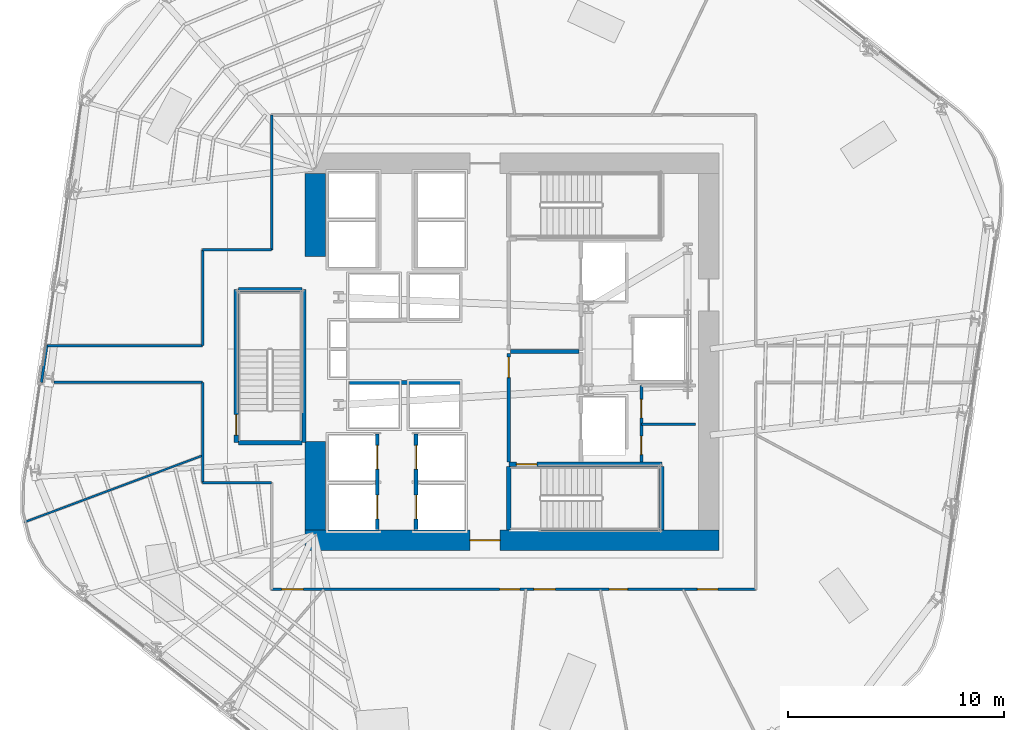
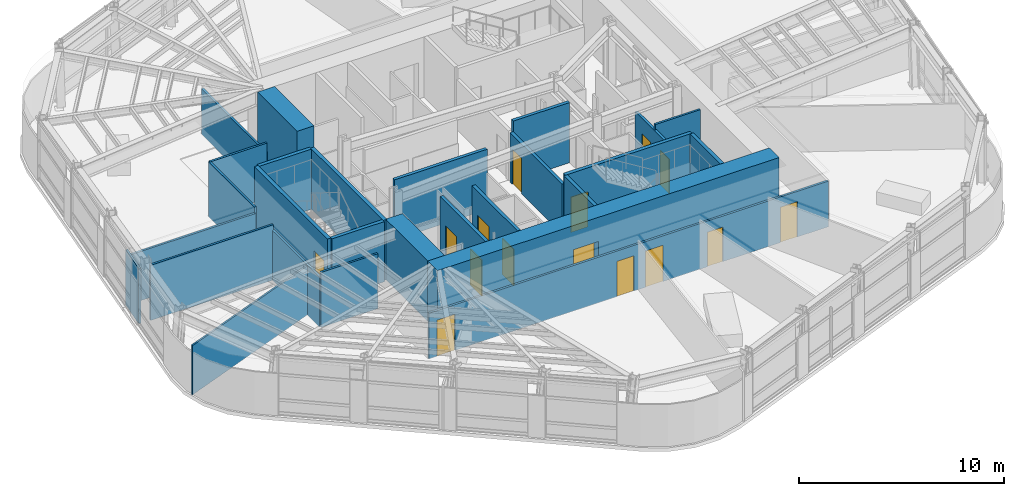
# One storey, part 8 of 17: 27 walls, 15 doors, 15 openings.
"""IFC4 building model written with IfcOpenShell, lengths in metres."""

from ifc_helpers import new_model, si_unit, direction, frame, frame_2d, origin, place, context, subcontext, project, spatial, rectangle, extrude, material, layer, layer_set, type_object, element, fill, save


model = new_model("IFC4")

# Units and contexts
model_context = context("Model", 3, precision=1e-05, world=origin(), true_north=direction((0.0, 1.0)))
body_context = subcontext(model_context, "Body", "Model", "MODEL_VIEW")
ifc_project = project(units=[si_unit("LENGTHUNIT", "METRE"), si_unit("AREAUNIT", "SQUARE_METRE"), si_unit("VOLUMEUNIT", "CUBIC_METRE"), si_unit("PLANEANGLEUNIT", "RADIAN"), si_unit("MASSUNIT", "GRAM", prefix="KILO")], contexts=[model_context])

# Site, building, storey
site_placement = place(None, origin())
site = spatial("IfcSite", under=ifc_project, at=site_placement, CompositionType="ELEMENT")
building_placement = place(site_placement, origin())
building = spatial("IfcBuilding", under=site, at=building_placement, Name="Valkerne Bourse Tower", CompositionType="ELEMENT")
storey_placement = place(building_placement, frame((0.0, 0.0, 116.199951171875)))
storey = spatial("IfcBuildingStorey", under=building, at=storey_placement, Name="L29", CompositionType="ELEMENT", Elevation=116.199951171875)

# Wall, opening, door
ifc_material_1 = material(Name="Concrete C70/85", Category="concrete")
ifc_layer_1 = layer(ifc_material_1, 0.949951171875)
ifc_layer_set_1 = layer_set([ifc_layer_1], Name="Concrete C70/85")
wall_type_1 = type_object("IfcWallType", Name="W-CORE-950", PredefinedType="SHEAR", material=ifc_layer_set_1)
wall_1_placement = place(storey_placement, frame((37.199951171875, 18.125, 0.0), z_axis=(0.0, 0.0, 1.0), x_axis=(1.0, 0.0, 0.0)))
wall_1 = element("IfcWall", 1, at=wall_1_placement, inside=storey, type_object=wall_type_1, Name="L29 Core Shear Wall SOUTH", PredefinedType="SHEAR", context=body_context, shape_type="SweptSolid", body=[
    extrude(rectangle(XDim=19.199951171875, YDim=0.949951171875, at=frame_2d((9.60009765625, 0.0))), origin(), (0.0, 0.0, 1.0), 3.580078125),
])
opening_1_placement = place(wall_1_placement, frame((7.64990234375, 0.0, 0.0)))
opening_1 = element("IfcOpeningElement", 2, at=opening_1_placement, cuts=wall_1, Name="Opening D-PL-1400", PredefinedType="OPENING", context=body_context, shape_type="SweptSolid", body=[
    extrude(rectangle(XDim=1.39990234375, YDim=2.14990234375, at=frame_2d((0.699951171875, 1.074951171875))), frame((0.0, 0.48486328125, 0.0), z_axis=(0.0, -1.0, 0.0), x_axis=(1.0, 0.0, 0.0)), (0.0, 0.0, 1.0), 0.969970703125),
])
ifc_material_2 = material(Name="Galvanised Painted Steel", Category="steel")
door_type_1 = type_object("IfcDoorType", Name="DR-PLT-1400", OperationType="DOUBLE_DOOR_SINGLE_SWING", PredefinedType="DOOR", material=ifc_material_2)
door_1_placement = place(opening_1_placement, origin())
door_1 = element("IfcDoor", 3, at=door_1_placement, inside=storey, type_object=door_type_1, Name="L29 South Passenger Lift Hall Fire Door", OperationType="DOUBLE_DOOR_SINGLE_SWING", OverallHeight=2.14990234375, OverallWidth=1.39990234375, PredefinedType="DOOR", context=body_context, shape_type="SweptSolid", body=[
    extrude(rectangle(XDim=1.39990234375, YDim=2.14990234375, at=frame_2d((0.699951171875, 1.074951171875))), frame((0.0, 0.02490234375, 0.0), z_axis=(0.0, -1.0, 0.0), x_axis=(1.0, 0.0, 0.0)), (0.0, 0.0, 1.0), 0.050048828125),
])
fill(opening_1, door_1)

# Walls
wall_2_placement = place(storey_placement, frame((37.675048828125, 18.60009765625, 0.0), z_axis=(0.0, 0.0, 1.0), x_axis=(0.0, 1.0, 0.0)))
element("IfcWall", 4, at=wall_2_placement, inside=storey, type_object=wall_type_1, Name="L29 Core Shear Wall WEST-S", PredefinedType="SHEAR", context=body_context, shape_type="SweptSolid", body=[
    extrude(rectangle(XDim=4.099853515625, YDim=0.949951171875, at=frame_2d((2.0498046875, 0.0))), origin(), (0.0, 0.0, 1.0), 3.580078125),
])
wall_3_placement = place(storey_placement, frame((37.675048828125, 31.300048828125, 0.0), z_axis=(0.0, 0.0, 1.0), x_axis=(0.0, 1.0, 0.0)))
element("IfcWall", 5, at=wall_3_placement, inside=storey, type_object=wall_type_1, Name="L29 Core Shear Wall WEST-N", PredefinedType="SHEAR", context=body_context, shape_type="SweptSolid", body=[
    extrude(rectangle(XDim=3.849853515625, YDim=0.949951171875, at=frame_2d((1.9248046875, 0.0))), origin(), (0.0, 0.0, 1.0), 3.580078125),
])
ifc_material_3 = material(Name="Gypsum Board Steel-Stud Partition", Category="steel")
ifc_layer_2 = layer(ifc_material_3, 0.117919921875)
ifc_layer_set_2 = layer_set([ifc_layer_2], Name="Gypsum Board Steel-Stud Partition")
wall_type_2 = type_object("IfcWallType", Name="W-CORR-140", PredefinedType="PARTITIONING", material=ifc_layer_set_2)
wall_4_placement = place(storey_placement, frame((52.800048828125, 23.510009765625, 0.0), z_axis=(0.0, 0.0, 1.0), x_axis=(1.0, 0.0, 0.0)))
element("IfcWall", 6, at=wall_4_placement, inside=storey, type_object=wall_type_2, Name="L29 Core SE Dual Divider", PredefinedType="PARTITIONING", context=body_context, shape_type="SweptSolid", body=[
    extrude(rectangle(XDim=2.52001953125, YDim=0.117919921875, at=frame_2d((1.260009765625, 0.0))), origin(), (0.0, 0.0, 1.0), 3.280029296875),
])

# Wall, openings, doors
wall_5_placement = place(storey_placement, frame((58.10009765625, 15.85009765625, 0.0), z_axis=(0.0, 0.0, 1.0), x_axis=(-1.0, 0.0, 0.0)))
wall_5 = element("IfcWall", 7, at=wall_5_placement, inside=storey, type_object=wall_type_2, Name="L29 Corridor Enclosure Wall", PredefinedType="PARTITIONING", context=body_context, shape_type="SweptSolid", body=[
    extrude(rectangle(XDim=22.4501953125, YDim=0.117919921875, at=frame_2d((11.22509765625, 0.0))), origin(), (0.0, 0.0, 1.0), 2.711669921875),
])
opening_2_placement = place(wall_5_placement, frame((5.93505859375, 0.0, 0.0)))
opening_2 = element("IfcOpeningElement", 8, at=opening_2_placement, cuts=wall_5, Name="Opening D-WC-900", PredefinedType="OPENING", context=body_context, shape_type="SweptSolid", body=[
    extrude(rectangle(XDim=0.860107421875, YDim=2.050048828125, at=frame_2d((0.43017578125, 1.02490234375))), frame((0.0, 0.06884765625, 0.0), z_axis=(0.0, -1.0, 0.0), x_axis=(1.0, 0.0, 0.0)), (0.0, 0.0, 1.0), 0.137939453125),
])
opening_3_placement = place(wall_5_placement, frame((9.284912109375, 0.0, 0.0)))
opening_3 = element("IfcOpeningElement", 9, at=opening_3_placement, cuts=wall_5, Name="Opening D-MG-1000", PredefinedType="OPENING", context=body_context, shape_type="SweptSolid", body=[
    extrude(rectangle(XDim=1.0, YDim=2.14990234375, at=frame_2d((0.5, 1.074951171875))), frame((0.0, 0.06884765625, 0.0), z_axis=(0.0, -1.0, 0.0), x_axis=(1.0, 0.0, 0.0)), (0.0, 0.0, 1.0), 0.137939453125),
])
opening_4_placement = place(wall_5_placement, frame((20.985107421875, 0.0, 0.0)))
opening_4 = element("IfcOpeningElement", 10, at=opening_4_placement, cuts=wall_5, Name="Opening D-MG-1000", PredefinedType="OPENING", context=body_context, shape_type="SweptSolid", body=[
    extrude(rectangle(XDim=1.0, YDim=2.14990234375, at=frame_2d((0.5, 1.074951171875))), frame((0.0, 0.06884765625, 0.0), z_axis=(0.0, -1.0, 0.0), x_axis=(1.0, 0.0, 0.0)), (0.0, 0.0, 1.0), 0.137939453125),
])
opening_5_placement = place(wall_5_placement, frame((1.75, 0.0, 0.0)))
opening_5 = element("IfcOpeningElement", 11, at=opening_5_placement, cuts=wall_5, Name="Opening D-OF-950", PredefinedType="OPENING", context=body_context, shape_type="SweptSolid", body=[
    extrude(rectangle(XDim=0.949951171875, YDim=2.10009765625, at=frame_2d((0.47509765625, 1.050048828125))), frame((0.0, 0.06884765625, 0.0), z_axis=(0.0, -1.0, 0.0), x_axis=(1.0, 0.0, 0.0)), (0.0, 0.0, 1.0), 0.137939453125),
])
opening_6_placement = place(wall_5_placement, frame((10.929931640625, 0.0, 0.0)))
opening_6 = element("IfcOpeningElement", 12, at=opening_6_placement, cuts=wall_5, Name="Opening D-OF-950", PredefinedType="OPENING", context=body_context, shape_type="SweptSolid", body=[
    extrude(rectangle(XDim=0.949951171875, YDim=2.10009765625, at=frame_2d((0.47509765625, 1.050048828125))), frame((0.0, 0.06884765625, 0.0), z_axis=(0.0, -1.0, 0.0), x_axis=(1.0, 0.0, 0.0)), (0.0, 0.0, 1.0), 0.137939453125),
])
ifc_material_4 = material(Name="Laminated Tempered Safety Glass", Category="glass")
door_type_2 = type_object("IfcDoorType", Name="DR-MTG-1000", OperationType="NOTDEFINED", PredefinedType="DOOR", material=ifc_material_4)
door_2_placement = place(opening_3_placement, origin())
door_2 = element("IfcDoor", 13, at=door_2_placement, inside=storey, type_object=door_type_2, Name="L29 L29 Client Strategy Conference Room 3 Door", OperationType="SINGLE_SWING_RIGHT", OverallHeight=2.14990234375, OverallWidth=1.0, PredefinedType="DOOR", context=body_context, shape_type="SweptSolid", body=[
    extrude(rectangle(XDim=1.0, YDim=2.14990234375, at=frame_2d((0.5, 1.074951171875))), frame((0.0, 0.02490234375, 0.0), z_axis=(0.0, -1.0, 0.0), x_axis=(1.0, 0.0, 0.0)), (0.0, 0.0, 1.0), 0.050048828125),
])
fill(opening_3, door_2)
door_3_placement = place(opening_4_placement, origin())
door_3 = element("IfcDoor", 14, at=door_3_placement, inside=storey, type_object=door_type_2, Name="L29 L29 Client Strategy Conference Room 4 Door", OperationType="SINGLE_SWING_RIGHT", OverallHeight=2.14990234375, OverallWidth=1.0, PredefinedType="DOOR", context=body_context, shape_type="SweptSolid", body=[
    extrude(rectangle(XDim=1.0, YDim=2.14990234375, at=frame_2d((0.5, 1.074951171875))), frame((0.0, 0.02490234375, 0.0), z_axis=(0.0, -1.0, 0.0), x_axis=(1.0, 0.0, 0.0)), (0.0, 0.0, 1.0), 0.050048828125),
])
fill(opening_4, door_3)
ifc_material_5 = material(Name="Architectural White Oak Timber", Category="wood")
door_type_3 = type_object("IfcDoorType", Name="DR-OFF-950", OperationType="NOTDEFINED", PredefinedType="DOOR", material=ifc_material_5)
door_4_placement = place(opening_5_placement, origin())
door_4 = element("IfcDoor", 15, at=door_4_placement, inside=storey, type_object=door_type_3, Name="L29 L29 Executive Economics Study Room 5 Door", OperationType="SINGLE_SWING_RIGHT", OverallHeight=2.10009765625, OverallWidth=0.949951171875, PredefinedType="DOOR", context=body_context, shape_type="SweptSolid", body=[
    extrude(rectangle(XDim=0.949951171875, YDim=2.10009765625, at=frame_2d((0.47509765625, 1.050048828125))), frame((0.0, 0.02490234375, 0.0), z_axis=(0.0, -1.0, 0.0), x_axis=(1.0, 0.0, 0.0)), (0.0, 0.0, 1.0), 0.050048828125),
])
fill(opening_5, door_4)
door_5_placement = place(opening_6_placement, origin())
door_5 = element("IfcDoor", 16, at=door_5_placement, inside=storey, type_object=door_type_3, Name="L29 L29 Exchange Security Control Room 7 Door", OperationType="SINGLE_SWING_RIGHT", OverallHeight=2.10009765625, OverallWidth=0.949951171875, PredefinedType="DOOR", context=body_context, shape_type="SweptSolid", body=[
    extrude(rectangle(XDim=0.949951171875, YDim=2.10009765625, at=frame_2d((0.47509765625, 1.050048828125))), frame((0.0, 0.02490234375, 0.0), z_axis=(0.0, -1.0, 0.0), x_axis=(1.0, 0.0, 0.0)), (0.0, 0.0, 1.0), 0.050048828125),
])
fill(opening_6, door_5)
door_type_4 = type_object("IfcDoorType", Name="DR-WC-900", OperationType="NOTDEFINED", PredefinedType="DOOR", material=ifc_material_5)
door_6_placement = place(opening_2_placement, origin())
door_6 = element("IfcDoor", 17, at=door_6_placement, inside=storey, type_object=door_type_4, Name="L29 L29 Men Bathroom WC 1 Door", OperationType="SINGLE_SWING_LEFT", OverallHeight=2.050048828125, OverallWidth=0.860107421875, PredefinedType="DOOR", context=body_context, shape_type="SweptSolid", body=[
    extrude(rectangle(XDim=0.860107421875, YDim=2.050048828125, at=frame_2d((0.43017578125, 1.02490234375))), frame((0.0, 0.02490234375, 0.0), z_axis=(0.0, -1.0, 0.0), x_axis=(1.0, 0.0, 0.0)), (0.0, 0.0, 1.0), 0.050048828125),
])
fill(opening_2, door_6)

# Walls
wall_6_placement = place(storey_placement, frame((35.64990234375, 20.800048828125, 0.0), z_axis=(0.0, 0.0, 1.0), x_axis=(-1.0, 0.0, 0.0)))
element("IfcWall", 18, at=wall_6_placement, inside=storey, type_object=wall_type_2, Name="L29 Corridor Enclosure Wall", PredefinedType="PARTITIONING", context=body_context, shape_type="SweptSolid", body=[
    extrude(rectangle(XDim=3.199951171875, YDim=0.117919921875, at=frame_2d((1.60009765625, 0.0))), origin(), (0.0, 0.0, 1.0), 3.260009765625),
])
wall_7_placement = place(storey_placement, frame((32.449951171875, 20.800048828125, 0.0), z_axis=(0.0, 0.0, 1.0), x_axis=(0.0, 1.0, 0.0)))
element("IfcWall", 19, at=wall_7_placement, inside=storey, type_object=wall_type_2, Name="L29 Corridor Enclosure Wall", PredefinedType="PARTITIONING", context=body_context, shape_type="SweptSolid", body=[
    extrude(rectangle(XDim=4.64990234375, YDim=0.117919921875, at=frame_2d((2.324951171875, 0.0))), origin(), (0.0, 0.0, 1.0), 2.962890625),
])
wall_8_placement = place(storey_placement, frame((32.449951171875, 25.449951171875, 0.0), z_axis=(0.0, 0.0, 1.0), x_axis=(-1.0, 0.0, 0.0)))
element("IfcWall", 20, at=wall_8_placement, inside=storey, type_object=wall_type_2, Name="L29 Corridor Enclosure Wall", PredefinedType="PARTITIONING", context=body_context, shape_type="SweptSolid", body=[
    extrude(rectangle(XDim=6.89404296875, YDim=0.117919921875, at=frame_2d((3.447021484375, 0.0))), origin(), (0.0, 0.0, 1.0), 3.280029296875),
])
wall_9_placement = place(storey_placement, frame((24.96875, 25.449951171875, 0.0), z_axis=(0.0, 0.0, 1.0), x_axis=(0.146054332045, 0.989276570071, 0.0)))
element("IfcWall", 21, at=wall_9_placement, inside=storey, type_object=wall_type_2, Name="L29 Corridor Enclosure Wall", PredefinedType="PARTITIONING", context=body_context, shape_type="SweptSolid", body=[
    extrude(rectangle(XDim=1.71826171875, YDim=0.117919921875, at=frame_2d((0.859130859375, 0.0))), origin(), (0.0, 0.0, 1.0), 3.280029296875),
])
wall_10_placement = place(storey_placement, frame((25.2197265625, 27.14990234375, 0.0), z_axis=(0.0, 0.0, 1.0), x_axis=(1.0, 0.0, 0.0)))
element("IfcWall", 22, at=wall_10_placement, inside=storey, type_object=wall_type_2, Name="L29 Corridor Enclosure Wall", PredefinedType="PARTITIONING", context=body_context, shape_type="SweptSolid", body=[
    extrude(rectangle(XDim=7.230224609375, YDim=0.117919921875, at=frame_2d((3.615234375, 0.0))), origin(), (0.0, 0.0, 1.0), 2.92236328125),
])
wall_11_placement = place(storey_placement, frame((32.449951171875, 27.14990234375, 0.0), z_axis=(0.0, 0.0, 1.0), x_axis=(0.0, 1.0, 0.0)))
element("IfcWall", 23, at=wall_11_placement, inside=storey, type_object=wall_type_2, Name="L29 Corridor Enclosure Wall", PredefinedType="PARTITIONING", context=body_context, shape_type="SweptSolid", body=[
    extrude(rectangle(XDim=4.4501953125, YDim=0.117919921875, at=frame_2d((2.22509765625, 0.0))), origin(), (0.0, 0.0, 1.0), 3.280029296875),
])
wall_12_placement = place(storey_placement, frame((32.449951171875, 31.60009765625, 0.0), z_axis=(0.0, 0.0, 1.0), x_axis=(1.0, 0.0, 0.0)))
element("IfcWall", 24, at=wall_12_placement, inside=storey, type_object=wall_type_2, Name="L29 Corridor Enclosure Wall", PredefinedType="PARTITIONING", context=body_context, shape_type="SweptSolid", body=[
    extrude(rectangle(XDim=3.199951171875, YDim=0.117919921875, at=frame_2d((1.60009765625, 0.0))), origin(), (0.0, 0.0, 1.0), 3.280029296875),
])
wall_13_placement = place(storey_placement, frame((35.64990234375, 31.60009765625, 0.0), z_axis=(0.0, 0.0, 1.0), x_axis=(0.0, 1.0, 0.0)))
element("IfcWall", 25, at=wall_13_placement, inside=storey, type_object=wall_type_2, Name="L29 Corridor Enclosure Wall", PredefinedType="PARTITIONING", context=body_context, shape_type="SweptSolid", body=[
    extrude(rectangle(XDim=6.25, YDim=0.117919921875, at=frame_2d((3.125, 0.0))), origin(), (0.0, 0.0, 1.0), 2.711669921875),
])
ifc_material_6 = material(Name="Gypsum Fire-Rated Shaftwall", Category="gypsum")
ifc_layer_3 = layer(ifc_material_6, 0.179931640625)
ifc_layer_set_3 = layer_set([ifc_layer_3], Name="Gypsum Fire-Rated Shaftwall")
wall_type_3 = type_object("IfcWallType", Name="W-FSAE-180", PredefinedType="PARTITIONING", material=ifc_layer_set_3)
wall_14_placement = place(storey_placement, frame((46.739990234375, 26.8798828125, 0.0), z_axis=(0.0, 0.0, 1.0), x_axis=(1.0, 0.0, 0.0)))
element("IfcWall", 26, at=wall_14_placement, inside=storey, type_object=wall_type_3, Name="L29 FSAE-1/2 Lobby Dividing Fire Wall", PredefinedType="PARTITIONING", context=body_context, shape_type="SweptSolid", body=[
    extrude(rectangle(XDim=3.169921875, YDim=0.179931640625, at=frame_2d((1.5849609375, 0.0))), origin(), (0.0, 0.0, 1.0), 3.580078125),
])

# Wall, opening, door
wall_15_placement = place(storey_placement, frame((46.64990234375, 21.75, 0.0), z_axis=(0.0, 0.0, 1.0), x_axis=(0.0, 1.0, 0.0)))
wall_15 = element("IfcWall", 27, at=wall_15_placement, inside=storey, type_object=wall_type_3, Name="L29 FSAE-1 Lobby West Fire Wall", PredefinedType="PARTITIONING", context=body_context, shape_type="SweptSolid", body=[
    extrude(rectangle(XDim=5.050048828125, YDim=0.179931640625, at=frame_2d((2.52490234375, 0.0))), origin(), (0.0, 0.0, 1.0), 2.9580078125),
])
opening_7_placement = place(wall_15_placement, frame((3.919921875, 0.0, 0.0)))
opening_7 = element("IfcOpeningElement", 28, at=opening_7_placement, cuts=wall_15, Name="Opening D-FS-950", PredefinedType="OPENING", context=body_context, shape_type="SweptSolid", body=[
    extrude(rectangle(XDim=0.949951171875, YDim=2.10009765625, at=frame_2d((0.47509765625, 1.050048828125))), frame((0.0, 0.099853515625, 0.0), z_axis=(0.0, -1.0, 0.0), x_axis=(1.0, 0.0, 0.0)), (0.0, 0.0, 1.0), 0.199951171875),
])
door_type_5 = type_object("IfcDoorType", Name="DR-FSAE-950", OperationType="NOTDEFINED", PredefinedType="DOOR", material=ifc_material_2)
door_7_placement = place(opening_7_placement, origin())
door_7 = element("IfcDoor", 29, at=door_7_placement, inside=storey, type_object=door_type_5, Name="L29 FSAE-1 Hall Link Fire Door", OperationType="SINGLE_SWING_RIGHT", OverallHeight=2.10009765625, OverallWidth=0.949951171875, PredefinedType="DOOR", context=body_context, shape_type="SweptSolid", body=[
    extrude(rectangle(XDim=0.949951171875, YDim=2.10009765625, at=frame_2d((0.47509765625, 1.050048828125))), frame((0.0, 0.02490234375, 0.0), z_axis=(0.0, -1.0, 0.0), x_axis=(1.0, 0.0, 0.0)), (0.0, 0.0, 1.0), 0.050048828125),
])
fill(opening_7, door_7)

# Wall, openings, doors
ifc_material_7 = material(Name="CMU Blockwork Masonry 200mm", Category="masonry")
ifc_layer_4 = layer(ifc_material_7, 0.179931640625)
ifc_layer_set_4 = layer_set([ifc_layer_4], Name="CMU Blockwork Masonry 200mm")
wall_type_4 = type_object("IfcWallType", Name="W-LFT-180", PredefinedType="SOLIDWALL", material=ifc_layer_set_4)
wall_16_placement = place(storey_placement, frame((40.550048828125, 18.6201171875, 0.0), z_axis=(0.0, 0.0, 1.0), x_axis=(0.0, 1.0, 0.0)))
wall_16 = element("IfcWall", 30, at=wall_16_placement, inside=storey, type_object=wall_type_4, Name="L29 Low-Zone West Cars Front Wall", PredefinedType="SOLIDWALL", context=body_context, shape_type="SweptSolid", body=[
    extrude(rectangle(XDim=4.429931640625, YDim=0.179931640625, at=frame_2d((2.21484375, 0.0))), origin(), (0.0, 0.0, 1.0), 3.580078125),
])
opening_8_placement = place(wall_16_placement, frame((0.5, 0.0, 0.0)))
opening_8 = element("IfcOpeningElement", 31, at=opening_8_placement, cuts=wall_16, Name="Opening LD-1100", PredefinedType="OPENING", context=body_context, shape_type="SweptSolid", body=[
    extrude(rectangle(XDim=1.10009765625, YDim=2.14990234375, at=frame_2d((0.550048828125, 1.074951171875))), frame((0.0, 0.099853515625, 0.0), z_axis=(0.0, -1.0, 0.0), x_axis=(1.0, 0.0, 0.0)), (0.0, 0.0, 1.0), 0.199951171875),
])
opening_9_placement = place(wall_16_placement, frame((2.800048828125, 0.0, 0.0)))
opening_9 = element("IfcOpeningElement", 32, at=opening_9_placement, cuts=wall_16, Name="Opening LD-1100", PredefinedType="OPENING", context=body_context, shape_type="SweptSolid", body=[
    extrude(rectangle(XDim=1.10009765625, YDim=2.14990234375, at=frame_2d((0.550048828125, 1.074951171875))), frame((0.0, 0.099853515625, 0.0), z_axis=(0.0, -1.0, 0.0), x_axis=(1.0, 0.0, 0.0)), (0.0, 0.0, 1.0), 0.199951171875),
])
ifc_material_8 = material(Name="Stainless Steel AISI 316", Category="steel")
door_type_6 = type_object("IfcDoorType", Name="DR-LIFT-1100", OperationType="DOUBLE_DOOR_SLIDING", PredefinedType="DOOR", material=ifc_material_8)
door_8_placement = place(opening_8_placement, origin())
door_8 = element("IfcDoor", 33, at=door_8_placement, inside=storey, type_object=door_type_6, Name="L29 Passenger Lift PL-L1 Sliding Landing Door", OperationType="DOUBLE_DOOR_SLIDING", OverallHeight=2.14990234375, OverallWidth=1.10009765625, PredefinedType="DOOR", context=body_context, shape_type="SweptSolid", body=[
    extrude(rectangle(XDim=1.10009765625, YDim=2.14990234375, at=frame_2d((0.550048828125, 1.074951171875))), frame((0.0, 0.02490234375, 0.0), z_axis=(0.0, -1.0, 0.0), x_axis=(1.0, 0.0, 0.0)), (0.0, 0.0, 1.0), 0.050048828125),
])
fill(opening_8, door_8)
door_9_placement = place(opening_9_placement, origin())
door_9 = element("IfcDoor", 34, at=door_9_placement, inside=storey, type_object=door_type_6, Name="L29 Passenger Lift PL-L2 Sliding Landing Door", OperationType="DOUBLE_DOOR_SLIDING", OverallHeight=2.14990234375, OverallWidth=1.10009765625, PredefinedType="DOOR", context=body_context, shape_type="SweptSolid", body=[
    extrude(rectangle(XDim=1.10009765625, YDim=2.14990234375, at=frame_2d((0.550048828125, 1.074951171875))), frame((0.0, 0.02490234375, 0.0), z_axis=(0.0, -1.0, 0.0), x_axis=(1.0, 0.0, 0.0)), (0.0, 0.0, 1.0), 0.050048828125),
])
fill(opening_9, door_9)

wall_17_placement = place(storey_placement, frame((42.35009765625, 18.6201171875, 0.0), z_axis=(0.0, 0.0, 1.0), x_axis=(0.0, 1.0, 0.0)))
wall_17 = element("IfcWall", 35, at=wall_17_placement, inside=storey, type_object=wall_type_4, Name="L29 Low-Zone East Cars Front Wall", PredefinedType="SOLIDWALL", context=body_context, shape_type="SweptSolid", body=[
    extrude(rectangle(XDim=4.429931640625, YDim=0.179931640625, at=frame_2d((2.21484375, 0.0))), origin(), (0.0, 0.0, 1.0), 3.580078125),
])
opening_10_placement = place(wall_17_placement, frame((0.5, 0.0, 0.0)))
opening_10 = element("IfcOpeningElement", 36, at=opening_10_placement, cuts=wall_17, Name="Opening LD-1100", PredefinedType="OPENING", context=body_context, shape_type="SweptSolid", body=[
    extrude(rectangle(XDim=1.10009765625, YDim=2.14990234375, at=frame_2d((0.550048828125, 1.074951171875))), frame((0.0, 0.099853515625, 0.0), z_axis=(0.0, -1.0, 0.0), x_axis=(1.0, 0.0, 0.0)), (0.0, 0.0, 1.0), 0.199951171875),
])
opening_11_placement = place(wall_17_placement, frame((2.800048828125, 0.0, 0.0)))
opening_11 = element("IfcOpeningElement", 37, at=opening_11_placement, cuts=wall_17, Name="Opening LD-1100", PredefinedType="OPENING", context=body_context, shape_type="SweptSolid", body=[
    extrude(rectangle(XDim=1.10009765625, YDim=2.14990234375, at=frame_2d((0.550048828125, 1.074951171875))), frame((0.0, 0.099853515625, 0.0), z_axis=(0.0, -1.0, 0.0), x_axis=(1.0, 0.0, 0.0)), (0.0, 0.0, 1.0), 0.199951171875),
])
door_10_placement = place(opening_10_placement, origin())
door_10 = element("IfcDoor", 38, at=door_10_placement, inside=storey, type_object=door_type_6, Name="L29 Passenger Lift PL-L3 Sliding Landing Door", OperationType="DOUBLE_DOOR_SLIDING", OverallHeight=2.14990234375, OverallWidth=1.10009765625, PredefinedType="DOOR", context=body_context, shape_type="SweptSolid", body=[
    extrude(rectangle(XDim=1.10009765625, YDim=2.14990234375, at=frame_2d((0.550048828125, 1.074951171875))), frame((0.0, 0.02490234375, 0.0), z_axis=(0.0, -1.0, 0.0), x_axis=(1.0, 0.0, 0.0)), (0.0, 0.0, 1.0), 0.050048828125),
])
fill(opening_10, door_10)
door_11_placement = place(opening_11_placement, origin())
door_11 = element("IfcDoor", 39, at=door_11_placement, inside=storey, type_object=door_type_6, Name="L29 Passenger Lift PL-L4 Sliding Landing Door", OperationType="DOUBLE_DOOR_SLIDING", OverallHeight=2.14990234375, OverallWidth=1.10009765625, PredefinedType="DOOR", context=body_context, shape_type="SweptSolid", body=[
    extrude(rectangle(XDim=1.10009765625, YDim=2.14990234375, at=frame_2d((0.550048828125, 1.074951171875))), frame((0.0, 0.02490234375, 0.0), z_axis=(0.0, -1.0, 0.0), x_axis=(1.0, 0.0, 0.0)), (0.0, 0.0, 1.0), 0.050048828125),
])
fill(opening_11, door_11)

# Walls
wall_18_placement = place(storey_placement, frame((39.25, 25.449951171875, 0.0), z_axis=(0.0, 0.0, 1.0), x_axis=(1.0, 0.0, 0.0)))
element("IfcWall", 40, at=wall_18_placement, inside=storey, type_object=wall_type_4, Name="L29 High-Zone South Cars Front Wall", PredefinedType="SOLIDWALL", context=body_context, shape_type="SweptSolid", body=[
    extrude(rectangle(XDim=5.199951171875, YDim=0.179931640625, at=frame_2d((2.60009765625, 0.0))), origin(), (0.0, 0.0, 1.0), 3.580078125),
])
ifc_layer_5 = layer(ifc_material_3, 0.092041015625)
ifc_layer_set_5 = layer_set([ifc_layer_5], Name="Gypsum Board Steel-Stud Partition")
wall_type_5 = type_object("IfcWallType", Name="W-PART-115", PredefinedType="PARTITIONING", material=ifc_layer_set_5)
wall_19_placement = place(storey_placement, frame((32.445068359375, 22.055908203125, 0.0), z_axis=(0.0, 0.0, 1.0), x_axis=(-0.936596545617, -0.350409632771, 0.0)))
element("IfcWall", 41, at=wall_19_placement, inside=storey, type_object=wall_type_5, Name="L29 Suite Partition P08", PredefinedType="PARTITIONING", context=body_context, shape_type="SweptSolid", body=[
    extrude(rectangle(XDim=8.84716796875, YDim=0.092041015625, at=frame_2d((4.423583984375, 0.0))), origin(), (0.0, 0.0, 1.0), 2.92236328125),
])

# Wall, opening, door
ifc_material_9 = material(Name="Concrete C40/50", Category="concrete")
ifc_layer_6 = layer(ifc_material_9, 0.199951171875)
ifc_layer_set_6 = layer_set([ifc_layer_6], Name="Concrete C40/50")
wall_type_6 = type_object("IfcWallType", Name="W-SHF-200", PredefinedType="SHEAR", material=ifc_layer_set_6)
wall_20_placement = place(storey_placement, frame((46.64990234375, 21.64990234375, 0.0), z_axis=(0.0, 0.0, 1.0), x_axis=(1.0, 0.0, 0.0)))
wall_20 = element("IfcWall", 42, at=wall_20_placement, inside=storey, type_object=wall_type_6, Name="L29 Exit Stair ST-1 Structural Shaft Wall North", PredefinedType="SHEAR", context=body_context, shape_type="SweptSolid", body=[
    extrude(rectangle(XDim=7.10009765625, YDim=0.199951171875, at=frame_2d((3.550048828125, 0.0))), origin(), (0.0, 0.0, 1.0), 3.580078125),
])
opening_12_placement = place(wall_20_placement, frame((0.35009765625, 0.0, 0.0)))
opening_12 = element("IfcOpeningElement", 43, at=opening_12_placement, cuts=wall_20, Name="Opening D-ST-950", PredefinedType="OPENING", context=body_context, shape_type="SweptSolid", body=[
    extrude(rectangle(XDim=0.949951171875, YDim=2.10009765625, at=frame_2d((0.47509765625, 1.050048828125))), frame((0.0, 0.10986328125, 0.0), z_axis=(0.0, -1.0, 0.0), x_axis=(1.0, 0.0, 0.0)), (0.0, 0.0, 1.0), 0.219970703125),
])
door_type_7 = type_object("IfcDoorType", Name="DR-STAIR-950", OperationType="NOTDEFINED", PredefinedType="DOOR", material=ifc_material_2)
door_12_placement = place(opening_12_placement, origin())
door_12 = element("IfcDoor", 44, at=door_12_placement, inside=storey, type_object=door_type_7, Name="L29 Exit Stair ST-1 Door", OperationType="SINGLE_SWING_RIGHT", OverallHeight=2.10009765625, OverallWidth=0.949951171875, PredefinedType="DOOR", context=body_context, shape_type="SweptSolid", body=[
    extrude(rectangle(XDim=0.949951171875, YDim=2.10009765625, at=frame_2d((0.47509765625, 1.050048828125))), frame((0.0, 0.02490234375, 0.0), z_axis=(0.0, -1.0, 0.0), x_axis=(1.0, 0.0, 0.0)), (0.0, 0.0, 1.0), 0.050048828125),
])
fill(opening_12, door_12)

# Walls
for number, where, z_axis, x_axis, name in (
    (45, (46.64990234375, 18.60009765625, 0.0), (0.0, 0.0, 1.0), (0.0, 1.0, 0.0), "L29 Exit Stair ST-1 Structural Shaft Wall West"),
    (46, (53.75, 18.60009765625, 0.0), (0.0, 0.0, 1.0), (0.0, 1.0, 0.0), "L29 Exit Stair ST-1 Structural Shaft Wall East"),
):
    element("IfcWall", number, at=place(storey_placement, frame(where, z_axis=z_axis, x_axis=x_axis)), inside=storey, type_object=wall_type_6, Name=name, PredefinedType="SHEAR", context=body_context, shape_type="SweptSolid", body=[
        extrude(rectangle(XDim=2.949951171875, YDim=0.199951171875, at=frame_2d((1.47509765625, 0.0))), origin(), (0.0, 0.0, 1.0), 3.580078125),
    ])

# Wall, opening, door
wall_21_placement = place(storey_placement, frame((34.0, 22.64990234375, 0.0), z_axis=(0.0, 0.0, 1.0), x_axis=(0.0, 1.0, 0.0)))
wall_21 = element("IfcWall", 47, at=wall_21_placement, inside=storey, type_object=wall_type_6, Name="L29 Exit Stair ST-3 Structural Shaft Wall West", PredefinedType="SHEAR", context=body_context, shape_type="SweptSolid", body=[
    extrude(rectangle(XDim=7.10009765625, YDim=0.199951171875, at=frame_2d((3.550048828125, 0.0))), origin(), (0.0, 0.0, 1.0), 3.580078125),
])
opening_13_placement = place(wall_21_placement, frame((0.35009765625, 0.0, 0.0)))
opening_13 = element("IfcOpeningElement", 48, at=opening_13_placement, cuts=wall_21, Name="Opening D-ST-950", PredefinedType="OPENING", context=body_context, shape_type="SweptSolid", body=[
    extrude(rectangle(XDim=0.949951171875, YDim=2.10009765625, at=frame_2d((0.47509765625, 1.050048828125))), frame((0.0, 0.10986328125, 0.0), z_axis=(0.0, -1.0, 0.0), x_axis=(1.0, 0.0, 0.0)), (0.0, 0.0, 1.0), 0.219970703125),
])
door_13_placement = place(opening_13_placement, origin())
door_13 = element("IfcDoor", 49, at=door_13_placement, inside=storey, type_object=door_type_7, Name="L29 Exit Stair ST-3 Door", OperationType="SINGLE_SWING_RIGHT", OverallHeight=2.10009765625, OverallWidth=0.949951171875, PredefinedType="DOOR", context=body_context, shape_type="SweptSolid", body=[
    extrude(rectangle(XDim=0.949951171875, YDim=2.10009765625, at=frame_2d((0.47509765625, 1.050048828125))), frame((0.0, 0.02490234375, 0.0), z_axis=(0.0, -1.0, 0.0), x_axis=(1.0, 0.0, 0.0)), (0.0, 0.0, 1.0), 0.050048828125),
])
fill(opening_13, door_13)

# Walls
for number, where, z_axis, x_axis, name in (
    (50, (34.10009765625, 22.64990234375, 0.0), (0.0, 0.0, 1.0), (1.0, 0.0, 0.0), "L29 Exit Stair ST-3 Structural Shaft Wall South"),
    (51, (34.10009765625, 29.75, 0.0), (0.0, 0.0, 1.0), (1.0, 0.0, 0.0), "L29 Exit Stair ST-3 Structural Shaft Wall North"),
):
    element("IfcWall", number, at=place(storey_placement, frame(where, z_axis=z_axis, x_axis=x_axis)), inside=storey, type_object=wall_type_6, Name=name, PredefinedType="SHEAR", context=body_context, shape_type="SweptSolid", body=[
        extrude(rectangle(XDim=2.949951171875, YDim=0.199951171875, at=frame_2d((1.47509765625, 0.0))), origin(), (0.0, 0.0, 1.0), 3.580078125),
    ])
wall_22_placement = place(storey_placement, frame((37.14990234375, 22.64990234375, 0.0), z_axis=(0.0, 0.0, 1.0), x_axis=(0.0, 1.0, 0.0)))
element("IfcWall", 52, at=wall_22_placement, inside=storey, type_object=wall_type_6, Name="L29 Exit Stair ST-3 Structural Shaft Wall East", PredefinedType="SHEAR", context=body_context, shape_type="SweptSolid", body=[
    extrude(rectangle(XDim=7.10009765625, YDim=0.199951171875, at=frame_2d((3.550048828125, 0.0))), origin(), (0.0, 0.0, 1.0), 3.580078125),
])

# Wall, openings, doors
ifc_material_10 = material(Name="Moisture-Resistant Gypsum Partition", Category="gypsum")
ifc_layer_7 = layer(ifc_material_10, 0.139892578125)
ifc_layer_set_7 = layer_set([ifc_layer_7], Name="Moisture-Resistant Gypsum Partition")
wall_type_7 = type_object("IfcWallType", Name="W-WET-140", PredefinedType="PARTITIONING", material=ifc_layer_set_7)
wall_23_placement = place(storey_placement, frame((52.800048828125, 21.75, 0.0), z_axis=(0.0, 0.0, 1.0), x_axis=(0.0, 1.0, 0.0)))
wall_23 = element("IfcWall", 53, at=wall_23_placement, inside=storey, type_object=wall_type_7, Name="L29 Core SE Dual West Wall", PredefinedType="PARTITIONING", context=body_context, shape_type="SweptSolid", body=[
    extrude(rectangle(XDim=3.550048828125, YDim=0.139892578125, at=frame_2d((1.77490234375, 0.0))), origin(), (0.0, 0.0, 1.0), 2.9580078125),
])
opening_14_placement = place(wall_23_placement, frame((0.35009765625, 0.0, 0.0)))
opening_14 = element("IfcOpeningElement", 54, at=opening_14_placement, cuts=wall_23, Name="Opening D-WC-900", PredefinedType="OPENING", context=body_context, shape_type="SweptSolid", body=[
    extrude(rectangle(XDim=0.860107421875, YDim=2.050048828125, at=frame_2d((0.43017578125, 1.02490234375))), frame((0.0, 0.079833984375, 0.0), z_axis=(0.0, -1.0, 0.0), x_axis=(1.0, 0.0, 0.0)), (0.0, 0.0, 1.0), 0.159912109375),
])
opening_15_placement = place(wall_23_placement, frame((2.050048828125, 0.0, 0.0)))
opening_15 = element("IfcOpeningElement", 55, at=opening_15_placement, cuts=wall_23, Name="Opening D-WC-900", PredefinedType="OPENING", context=body_context, shape_type="SweptSolid", body=[
    extrude(rectangle(XDim=0.860107421875, YDim=2.050048828125, at=frame_2d((0.43017578125, 1.02490234375))), frame((0.0, 0.079833984375, 0.0), z_axis=(0.0, -1.0, 0.0), x_axis=(1.0, 0.0, 0.0)), (0.0, 0.0, 1.0), 0.159912109375),
])
door_14_placement = place(opening_14_placement, origin())
door_14 = element("IfcDoor", 56, at=door_14_placement, inside=storey, type_object=door_type_4, Name="L29 Linen Store Door", OperationType="SINGLE_SWING_LEFT", OverallHeight=2.050048828125, OverallWidth=0.860107421875, PredefinedType="DOOR", context=body_context, shape_type="SweptSolid", body=[
    extrude(rectangle(XDim=0.860107421875, YDim=2.050048828125, at=frame_2d((0.43017578125, 1.02490234375))), frame((0.0, 0.02490234375, 0.0), z_axis=(0.0, -1.0, 0.0), x_axis=(1.0, 0.0, 0.0)), (0.0, 0.0, 1.0), 0.050048828125),
])
fill(opening_14, door_14)
door_15_placement = place(opening_15_placement, origin())
door_15 = element("IfcDoor", 57, at=door_15_placement, inside=storey, type_object=door_type_4, Name="L29 Espresso Kitchen Door", OperationType="SINGLE_SWING_LEFT", OverallHeight=2.050048828125, OverallWidth=0.860107421875, PredefinedType="DOOR", context=body_context, shape_type="SweptSolid", body=[
    extrude(rectangle(XDim=0.860107421875, YDim=2.050048828125, at=frame_2d((0.43017578125, 1.02490234375))), frame((0.0, 0.02490234375, 0.0), z_axis=(0.0, -1.0, 0.0), x_axis=(1.0, 0.0, 0.0)), (0.0, 0.0, 1.0), 0.050048828125),
])
fill(opening_15, door_15)

save(model, "model.ifc")
